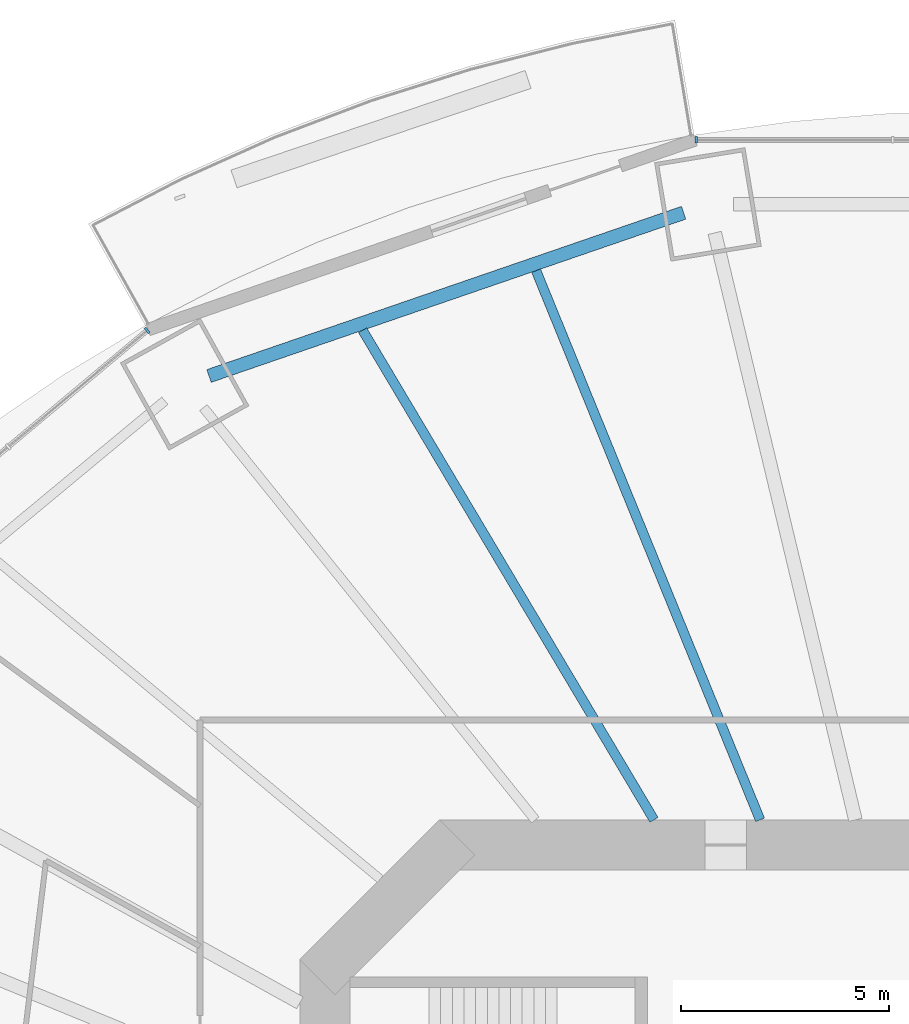
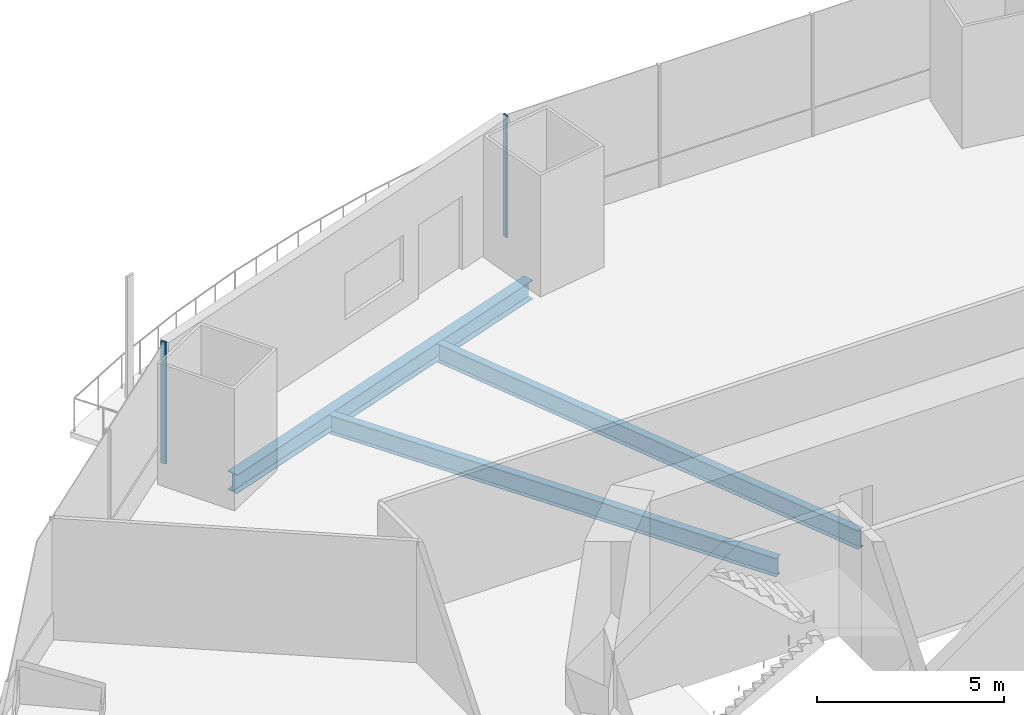
# One storey, part 7 of 23: 3 beams, 2 members, 2 elements without a shape of their own.
"""IFC4 building model written with IfcOpenShell, lengths in metres."""

from ifc_helpers import new_model, si_unit, direction, frame, origin, origin_2d, place, context, subcontext, project, spatial, rectangle, i_section, extrude, material, material_profile, profile_set, type_object, element, aggregate, save


model = new_model("IFC4")

# Units and contexts
model_context = context("Model", 3, precision=1e-05, world=origin(), true_north=direction((0.0, 1.0)))
body_context = subcontext(model_context, "Body", "Model", "MODEL_VIEW")
ifc_project = project(units=[si_unit("LENGTHUNIT", "METRE"), si_unit("AREAUNIT", "SQUARE_METRE"), si_unit("VOLUMEUNIT", "CUBIC_METRE"), si_unit("PLANEANGLEUNIT", "RADIAN"), si_unit("MASSUNIT", "GRAM", prefix="KILO")], contexts=[model_context])

# Site, building, storey
site_placement = place(None, origin())
site = spatial("IfcSite", under=ifc_project, at=site_placement, CompositionType="ELEMENT")
building_placement = place(site_placement, origin())
building = spatial("IfcBuilding", under=site, at=building_placement, Name="Marenthal Gate Tower", CompositionType="ELEMENT")
storey_placement = place(building_placement, frame((0.0, 0.0, 49.60009765625)))
storey = spatial("IfcBuildingStorey", under=building, at=storey_placement, Name="L08", CompositionType="ELEMENT", Elevation=49.60009765625)

# Curtain wall, member
ifc_material_1 = material(Name="Aluminium and glass", Category="aluminium")
curtain_wall_type = type_object("IfcCurtainWallType", Name="Curtain wall typical low", PredefinedType="NOTDEFINED", material=ifc_material_1)
curtain_wall_1_placement = place(storey_placement, origin())
curtain_wall_1 = element("IfcCurtainWall", 1, at=curtain_wall_1_placement, inside=storey, type_object=curtain_wall_type, Name="Curtain wall L08 bay 4", PredefinedType="NOTDEFINED")
ifc_material_2 = material(Name="Aluminium", Category="aluminium")
ifc_material_profile_1 = material_profile(ifc_material_2, rectangle(XDim=0.159912109375, YDim=0.06005859375, at=origin_2d()), Name="60x160 aluminium mullion")
ifc_profile_set_1 = profile_set([ifc_material_profile_1], Name="Aluminium")
member_type = type_object("IfcMemberType", Name="Mullion 60x160 typical low", PredefinedType="MULLION", material=ifc_profile_set_1)
member_1_placement = place(storey_placement, frame((-7.07861328125, 29.9287109375, 0.0), z_axis=(0.0, 0.0, 1.0), x_axis=(0.0, -1.0, 0.0)))
member_1 = element("IfcMember", 2, at=member_1_placement, type_object=member_type, Name="Mullion L08 bay 4.4", PredefinedType="MULLION", context=body_context, shape_type="SweptSolid", body=[
    extrude(rectangle(XDim=0.159912109375, YDim=0.06005859375, at=origin_2d()), origin(), (0.0, 0.0, 1.0), 3.969970703125),
])
aggregate(curtain_wall_1, [member_1])

curtain_wall_2_placement = place(storey_placement, origin())
curtain_wall_2 = element("IfcCurtainWall", 3, at=curtain_wall_2_placement, inside=storey, type_object=curtain_wall_type, Name="Curtain wall L08 bay 6", PredefinedType="NOTDEFINED")
member_2_placement = place(storey_placement, frame((-20.266845703125, 25.35302734375, 0.0), z_axis=(0.0, 0.0, 1.0), x_axis=(0.642047277641, -0.766665046336, 0.0)))
member_2 = element("IfcMember", 4, at=member_2_placement, type_object=member_type, Name="Mullion L08 bay 6.1", PredefinedType="MULLION", context=body_context, shape_type="SweptSolid", body=[
    extrude(rectangle(XDim=0.159912109375, YDim=0.06005859375, at=origin_2d()), origin(), (0.0, 0.0, 1.0), 3.969970703125),
])
aggregate(curtain_wall_2, [member_2])

# Beams
ifc_material_3 = material(Name="Steel S355", Category="steel")
ifc_material_profile_2 = material_profile(ifc_material_3, i_section(OverallWidth=0.22900390625, OverallDepth=0.612060546875, WebThickness=0.011962890625, FlangeThickness=0.01953125, FilletRadius=0.0126953125, at=origin_2d()), Name="W610X125")
ifc_profile_set_2 = profile_set([ifc_material_profile_2], Name="Steel S355")
beam_type_1 = type_object("IfcBeamType", Name="W610X125 beam", PredefinedType="BEAM", material=ifc_profile_set_2)
beam_1_placement = place(storey_placement, frame((-10.927490234375, 26.7880859375, -0.486083984375), z_axis=(0.377703578377, -0.925926566679, 0.0), x_axis=(0.925926566679, 0.377703578377, 0.0)))
element("IfcBeam", 5, at=beam_1_placement, inside=storey, type_object=beam_type_1, Name="BM-L08-23", PredefinedType="BEAM", context=body_context, shape_type="SweptSolid", body=[
    extrude(i_section(OverallWidth=0.22900390625, OverallDepth=0.612060546875, WebThickness=0.011962890625, FlangeThickness=0.01953125, FilletRadius=0.0126953125, at=origin_2d()), origin(), (0.0, 0.0, 1.0), 14.242919921875),
])
beam_2_placement = place(storey_placement, frame((-15.0927734375, 25.356201171875, -0.486083984375), z_axis=(0.511477271469, -0.859296805982, 0.0), x_axis=(0.859296805982, 0.511477271469, 0.0)))
element("IfcBeam", 6, at=beam_2_placement, inside=storey, type_object=beam_type_1, Name="BM-L08-24", PredefinedType="BEAM", context=body_context, shape_type="SweptSolid", body=[
    extrude(i_section(OverallWidth=0.22900390625, OverallDepth=0.612060546875, WebThickness=0.011962890625, FlangeThickness=0.01953125, FilletRadius=0.0126953125, at=origin_2d()), origin(), (0.0, 0.0, 1.0), 13.68115234375),
])
ifc_material_4 = material(Name="Steel S355", Category="steel")
ifc_material_profile_3 = material_profile(ifc_material_4, i_section(OverallWidth=0.324951171875, OverallDepth=0.612060546875, WebThickness=0.0126953125, FlangeThickness=0.01904296875, FilletRadius=0.0126953125, at=origin_2d()), Name="W610X155")
ifc_profile_set_3 = profile_set([ifc_material_profile_3], Name="Steel S355")
beam_type_2 = type_object("IfcBeamType", Name="W610X155 beam", PredefinedType="BEAM", material=ifc_profile_set_3)
beam_3_placement = place(storey_placement, frame((-7.3828125, 28.178955078125, -0.486083984375), z_axis=(-0.945659940371, -0.325157311431, 0.0), x_axis=(0.325157311431, -0.945659940371, 0.0)))
element("IfcBeam", 7, at=beam_3_placement, inside=storey, type_object=beam_type_2, Name="BM-L08-45", PredefinedType="BEAM", context=body_context, shape_type="SweptSolid", body=[
    extrude(i_section(OverallWidth=0.324951171875, OverallDepth=0.612060546875, WebThickness=0.0126953125, FlangeThickness=0.01904296875, FilletRadius=0.0126953125, at=origin_2d()), origin(), (0.0, 0.0, 1.0), 12.0546875),
])

save(model, "model.ifc")
